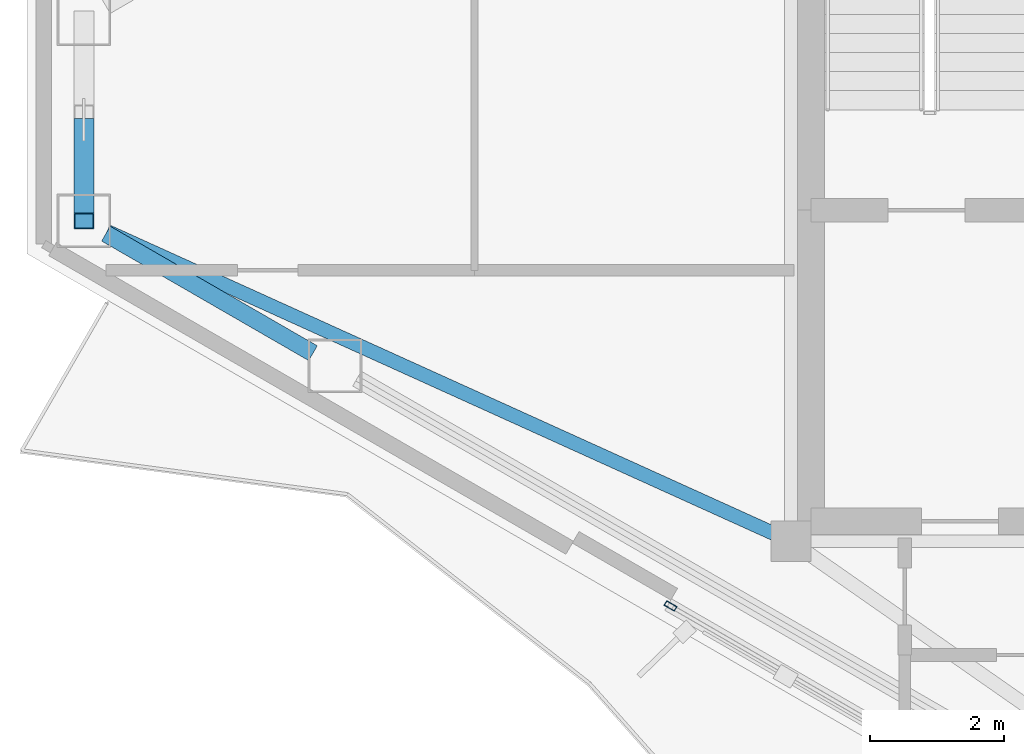
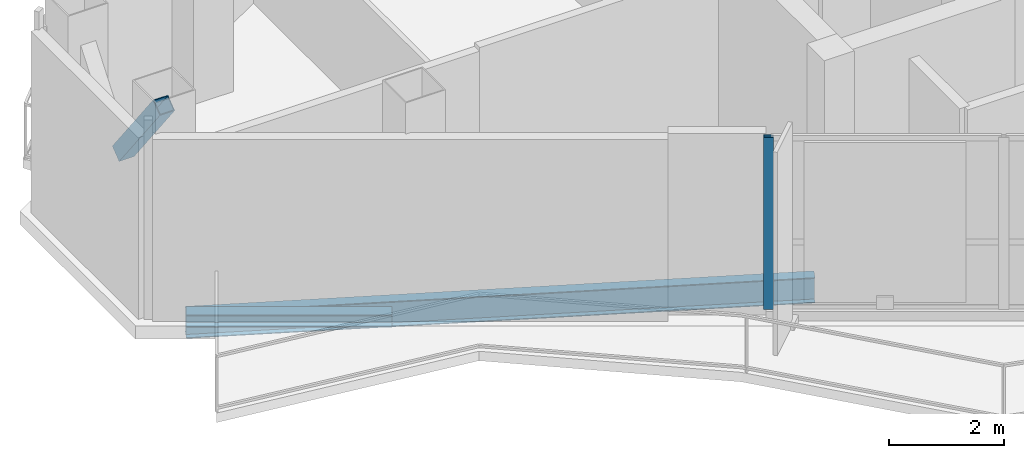
# One storey, part 3 of 14: 2 beams, 2 members, 1 element without a shape of its own.
"""IFC4 building model written with IfcOpenShell, lengths in metres."""

import ifcopenshell
import ifcopenshell.guid

model = None  # the IFC model being written
_history = None  # IfcOwnerHistory: only IFC2X3 demands one
_inside = {}  # id of a spatial element -> (the spatial element, [elements in it])
_under = {}  # id of a project, library or spatial element -> (it, [spatial elements below it])
_declared = {}  # id of a project -> (the project, [libraries it declares])
_typed = {}  # id of a type object -> (the type object, [elements of that type])
_made_of = {}  # id of a material, layer set ... -> (it, [elements and type objects made of it])


def new_model(schema):
    """Start an empty IFC model of exactly this schema.

    Asked for "IFC4X3", IfcOpenShell would pick the latest addendum, in which some entities
    have other attributes; the version numbers below select the first issue.
    IFC2X3 requires an IfcOwnerHistory on every rooted entity: one is made here for all.
    """
    global model, _history
    if schema == "IFC4X3":
        model = ifcopenshell.file(schema_version=(4, 3, 0, 0))
    else:
        model = ifcopenshell.file(schema=schema)
    _inside.clear()
    _under.clear()
    _declared.clear()
    _typed.clear()
    _made_of.clear()
    _history = None
    if model.schema == "IFC2X3":
        org = make("IfcOrganization", Name="unknown")
        user = make(
            "IfcPersonAndOrganization",
            ThePerson=make("IfcPerson", FamilyName="unknown"),
            TheOrganization=org,
        )
        app = make(
            "IfcApplication",
            ApplicationDeveloper=org,
            Version="unknown",
            ApplicationFullName="unknown",
            ApplicationIdentifier="unknown",
        )
        _history = make(
            "IfcOwnerHistory",
            OwningUser=user,
            OwningApplication=app,
            ChangeAction="ADDED",
            CreationDate=0,
        )
    return model


def make(cls, **values):
    """One entity of the class cls with the attributes given. An attribute that is None is left unset."""
    return model.create_entity(
        cls, **{name: value for name, value in values.items() if value is not None}
    )


def rooted(cls, **values):
    """An entity with a GlobalId (a new one), such as an element, a storey or a relation."""
    return make(cls, GlobalId=ifcopenshell.guid.new(), OwnerHistory=_history, **values)


def si_unit(unit_type, name, prefix=None):
    """IfcSIUnit, for example si_unit("LENGTHUNIT", "METRE", prefix="MILLI")."""
    return make("IfcSIUnit", UnitType=unit_type, Prefix=prefix, Name=name)


def assignment(units):
    """IfcUnitAssignment: the units of a project."""
    return None if units is None else make("IfcUnitAssignment", Units=units)


def point(xyz):
    """IfcCartesianPoint."""
    return None if xyz is None else make("IfcCartesianPoint", Coordinates=xyz)


def direction(xyz):
    """IfcDirection."""
    return None if xyz is None else make("IfcDirection", DirectionRatios=xyz)


def frame(location, z_axis=None, x_axis=None):
    """IfcAxis2Placement3D, a coordinate frame: its origin and axes. An axis left out is left unset."""
    return make(
        "IfcAxis2Placement3D",
        Location=point(location),
        Axis=direction(z_axis),
        RefDirection=direction(x_axis),
    )


def frame_2d(location, x_axis=None):
    """IfcAxis2Placement2D, a coordinate frame in the plane: its origin and x axis."""
    return make(
        "IfcAxis2Placement2D", Location=point(location), RefDirection=direction(x_axis)
    )


def origin():
    """The frame at (0, 0, 0) with its axes left unset."""
    return frame((0.0, 0.0, 0.0))


def origin_2d():
    """The frame at (0, 0) in the plane with its x axis left unset."""
    return frame_2d((0.0, 0.0))


def place(relative_to, where):
    """IfcLocalPlacement: puts the frame where relative to a parent placement (None: the world)."""
    return make(
        "IfcLocalPlacement", PlacementRelTo=relative_to, RelativePlacement=where
    )


def context(
    kind, dimensions, precision=None, world=None, true_north=None, identifier=None
):
    """IfcGeometricRepresentationContext, for example the 3D "Model" context."""
    return make(
        "IfcGeometricRepresentationContext",
        ContextIdentifier=identifier,
        ContextType=kind,
        CoordinateSpaceDimension=dimensions,
        Precision=precision,
        WorldCoordinateSystem=world,
        TrueNorth=true_north,
    )


def subcontext(parent, identifier, kind, view, scale=None):
    """IfcGeometricRepresentationSubContext, for example "Body" below "Model"."""
    return make(
        "IfcGeometricRepresentationSubContext",
        ContextIdentifier=identifier,
        ContextType=kind,
        ParentContext=parent,
        TargetScale=scale,
        TargetView=view,
    )


def project(units=None, contexts=None):
    """IfcProject with its units and contexts."""
    return rooted(
        "IfcProject",
        Name="project",
        RepresentationContexts=contexts,
        UnitsInContext=assignment(units),
    )


def spatial(cls, under=None, at=None, **own):
    """A site, building, storey or space (cls), placed at a placement, below another one or the project."""
    s = rooted(cls, ObjectPlacement=at, **own)
    if under is not None:
        _under.setdefault(under.id(), (under, []))[1].append(s)
    return s


def profile(cls, at=None, kind="AREA", **sizes):
    """A parametric profile (cls). Its sizes go by their IFC names, for example OverallWidth=200.0."""
    return make(cls, ProfileType=kind, Position=at, **sizes)


def hollow_rectangle(**sizes):
    """IfcRectangleHollowProfileDef."""
    return profile("IfcRectangleHollowProfileDef", **sizes)


def i_section(**sizes):
    """IfcIShapeProfileDef."""
    return profile("IfcIShapeProfileDef", **sizes)


def extrude(swept, where, along, depth):
    """IfcExtrudedAreaSolid: the profile swept, set in the frame where, extruded along a direction by depth."""
    return make(
        "IfcExtrudedAreaSolid",
        SweptArea=swept,
        Position=where,
        ExtrudedDirection=direction(along),
        Depth=depth,
    )


def shape(context_of_items, identifier, shape_type, items):
    """IfcShapeRepresentation: the items that make up one representation, for example the "Body"."""
    return make(
        "IfcShapeRepresentation",
        ContextOfItems=context_of_items,
        RepresentationIdentifier=identifier,
        RepresentationType=shape_type,
        Items=items,
    )


def material(Name=None, Category=None):
    """IfcMaterial."""
    return make("IfcMaterial", Name=Name, Category=Category)


def layer(
    of_material, thickness, ventilated=None, Name=None, Category=None, Priority=None
):
    """IfcMaterialLayer: one layer of a wall or slab, of a material (None: an air gap)."""
    return make(
        "IfcMaterialLayer",
        Material=of_material,
        LayerThickness=thickness,
        IsVentilated=ventilated,
        Name=Name,
        Category=Category,
        Priority=Priority,
    )


def layer_set(layers, Name=None):
    """IfcMaterialLayerSet."""
    return make("IfcMaterialLayerSet", MaterialLayers=layers, LayerSetName=Name)


def material_profile(
    of_material, cross_section, Name=None, Category=None, Priority=None
):
    """IfcMaterialProfile: a cross section and its material."""
    return make(
        "IfcMaterialProfile",
        Name=Name,
        Material=of_material,
        Profile=cross_section,
        Priority=Priority,
        Category=Category,
    )


def profile_set(profiles, Name=None, composite=None):
    """IfcMaterialProfileSet."""
    return make(
        "IfcMaterialProfileSet",
        Name=Name,
        MaterialProfiles=profiles,
        CompositeProfile=composite,
    )


def made_of(thing, what):
    """Note that an element or type object is made of a material, layer set ...; save() writes the relation."""
    if what is not None:
        _made_of.setdefault(what.id(), (what, []))[1].append(thing)
    return thing


def type_object(cls, material=None, **own):
    """A type object (cls), such as IfcWallType, which elements share."""
    return made_of(rooted(cls, **own), material)


def element(
    cls,
    number,
    at=None,
    inside=None,
    cuts=None,
    type_object=None,
    material=None,
    context=None,
    identifier="Body",
    shape_type=None,
    held_by="IfcProductDefinitionShape",
    body=None,
    shapes=None,
    **own,
):
    """One element of the class cls, such as IfcWall. Its Tag is "e" and its number.

    at: its placement. inside: the storey or other place that contains it. cuts: it is an
    opening in that element (IfcRelVoidsElement). A single representation is given by context,
    identifier, shape_type and body (its items); several are given by shapes. held_by: the class
    of the entity that holds the representations. save() writes the other relations.
    """
    e = rooted(cls, Tag="e%d" % number, ObjectPlacement=at, **own)
    if body is not None:
        shapes = [shape(context, identifier, shape_type, body)]
    if shapes is not None:
        e.Representation = make(held_by, Representations=shapes)
    if inside is not None:
        _inside.setdefault(inside.id(), (inside, []))[1].append(e)
    if cuts is not None:
        rooted(
            "IfcRelVoidsElement", RelatingBuildingElement=cuts, RelatedOpeningElement=e
        )
    if type_object is not None:
        _typed.setdefault(type_object.id(), (type_object, []))[1].append(e)
    return made_of(e, material)


def aggregate(whole, parts):
    """IfcRelAggregates: a whole, such as a stair, and the parts it consists of."""
    return rooted("IfcRelAggregates", RelatingObject=whole, RelatedObjects=parts)


def save(model, path):
    """Write the relations noted so far, then the file.

    IfcRelAggregates (storeys below a building ...), IfcRelContainedInSpatialStructure (elements
    in a storey), IfcRelDefinesByType, IfcRelAssociatesMaterial and IfcRelDeclares: one each for
    every whole, place, type object, material and project.
    """
    for whole, parts in _under.values():
        aggregate(whole, parts)
    for where, things in _inside.values():
        rooted(
            "IfcRelContainedInSpatialStructure",
            RelatedElements=things,
            RelatingStructure=where,
        )
    for kind, things in _typed.values():
        rooted("IfcRelDefinesByType", RelatedObjects=things, RelatingType=kind)
    for what, things in _made_of.values():
        rooted("IfcRelAssociatesMaterial", RelatedObjects=things, RelatingMaterial=what)
    for by, libraries in _declared.values():
        rooted("IfcRelDeclares", RelatingContext=by, RelatedDefinitions=libraries)
    model.write(path)


model = new_model("IFC4")

# Units and contexts
model_context = context("Model", 3, precision=1e-05, world=origin(), true_north=direction((0.0, 1.0)))
body_context = subcontext(model_context, "Body", "Model", "MODEL_VIEW")
ifc_project = project(units=[si_unit("LENGTHUNIT", "METRE"), si_unit("AREAUNIT", "SQUARE_METRE"), si_unit("VOLUMEUNIT", "CUBIC_METRE"), si_unit("PLANEANGLEUNIT", "RADIAN"), si_unit("MASSUNIT", "GRAM", prefix="KILO")], contexts=[model_context])

# Site, building, storey
site_placement = place(None, origin())
site = spatial("IfcSite", under=ifc_project, at=site_placement, CompositionType="ELEMENT")
building_placement = place(site_placement, origin())
building = spatial("IfcBuilding", under=site, at=building_placement, Name="Mersakhor Tower and Convention Hall", CompositionType="ELEMENT")
storey_placement = place(building_placement, frame((0.0, 0.0, 249.60009765625)))
storey = spatial("IfcBuildingStorey", under=building, at=storey_placement, Name="L70", CompositionType="ELEMENT", Elevation=249.60009765625)

# Beams
ifc_material_1 = material(Name="Steel S355", Category="steel")
ifc_material_profile_1 = material_profile(ifc_material_1, i_section(OverallWidth=0.2099609375, OverallDepth=0.53662109375, WebThickness=0.0107421875, FlangeThickness=0.017333984375, at=origin_2d()), Name="UB 533x210x101")
ifc_profile_set_1 = profile_set([ifc_material_profile_1], Name="Steel S355")
beam_type_1 = type_object("IfcBeamType", Name="BM-FB-533", PredefinedType="BEAM", material=ifc_profile_set_1)
beam_1_placement = place(storey_placement, frame((21.64501953125, 20.565673828125, -0.548583984375), z_axis=(-0.910860191929, 0.412715047895, 0.0), x_axis=(-0.412715047895, -0.910860191929, 0.0)))
element("IfcBeam", 1, at=beam_1_placement, inside=storey, type_object=beam_type_1, Name="L70 Primary Floor Girder FG-6", PredefinedType="BEAM", context=body_context, shape_type="SweptSolid", body=[
    extrude(i_section(OverallWidth=0.2099609375, OverallDepth=0.53662109375, WebThickness=0.0107421875, FlangeThickness=0.017333984375, at=origin_2d()), origin(), (0.0, 0.0, 1.0), 10.9423828125),
])
ifc_material_2 = material(Name="Steel S355", Category="steel")
ifc_material_profile_2 = material_profile(ifc_material_2, i_section(OverallWidth=0.25634765625, OverallDepth=0.26025390625, WebThickness=0.01025390625, FlangeThickness=0.017333984375, at=origin_2d()), Name="UC 254x254x89")
ifc_profile_set_2 = profile_set([ifc_material_profile_2], Name="Steel S355")
beam_type_2 = type_object("IfcBeamType", Name="BM-SPD-UC254", PredefinedType="SPANDREL", material=ifc_profile_set_2)
beam_2_placement = place(storey_placement, frame((14.756591796875, 23.261474609375, -0.41015625), z_axis=(-0.866032030752, 0.499988521579, 0.0), x_axis=(-0.499988521579, -0.866032030752, 0.0)))
element("IfcBeam", 2, at=beam_2_placement, inside=storey, type_object=beam_type_2, Name="L70 Perimeter Spandrel Beam SPB-11", PredefinedType="SPANDREL", context=body_context, shape_type="SweptSolid", body=[
    extrude(i_section(OverallWidth=0.25634765625, OverallDepth=0.26025390625, WebThickness=0.01025390625, FlangeThickness=0.017333984375, at=origin_2d()), origin(), (0.0, 0.0, 1.0), 3.57421875),
])

# Curtain wall, member
ifc_material_3 = material(Name="Dark solar low-E aluminium curtain wall", Category="aluminium")
ifc_layer = layer(ifc_material_3, 0.2099609375)
ifc_layer_set = layer_set([ifc_layer], Name="Dark solar low-E aluminium curtain wall")
curtain_wall_type = type_object("IfcCurtainWallType", Name="CW-SYS-06", PredefinedType="USERDEFINED", material=ifc_layer_set)
curtain_wall_placement = place(storey_placement, origin())
curtain_wall = element("IfcCurtainWall", 3, at=curtain_wall_placement, inside=storey, type_object=curtain_wall_type, Name="L70 Dark-Glass Curtain Wall F3-B2", ObjectType="CURTAIN WALL", PredefinedType="USERDEFINED")
ifc_material_4 = material(Name="Anodised aluminium EN AW-6063 T6", Category="aluminium")
ifc_material_profile_3 = material_profile(ifc_material_4, hollow_rectangle(XDim=0.080078125, YDim=0.179931640625, WallThickness=0.008056640625, at=origin_2d()), Name="RHS 180x80x8")
ifc_profile_set_3 = profile_set([ifc_material_profile_3], Name="Anodised aluminium EN AW-6063 T6")
member_type_1 = type_object("IfcMemberType", Name="CWM-180x80", PredefinedType="MULLION", material=ifc_profile_set_3)
member_1_placement = place(storey_placement, frame((20.1005859375, 19.4833984375, 0.199951171875), z_axis=(0.0, 0.0, 1.0), x_axis=(-0.500004411169, -0.86602285698, 0.0)))
member_1 = element("IfcMember", 4, at=member_1_placement, type_object=member_type_1, Name="CW-06 mullion 3", PredefinedType="MULLION", context=body_context, shape_type="SweptSolid", body=[
    extrude(hollow_rectangle(XDim=0.080078125, YDim=0.179931640625, WallThickness=0.008056640625, at=origin_2d()), origin(), (0.0, 0.0, 1.0), 3.639892578125),
])
aggregate(curtain_wall, [member_1])

# Member
ifc_material_5 = material(Name="Steel S355", Category="steel")
ifc_material_profile_4 = material_profile(ifc_material_5, hollow_rectangle(XDim=0.300048828125, YDim=0.300048828125, WallThickness=0.01611328125, at=origin_2d()), Name="SHS 300x300x16")
ifc_profile_set_4 = profile_set([ifc_material_profile_4], Name="Steel S355")
member_type_2 = type_object("IfcMemberType", Name="MB-BRC-SHS300", PredefinedType="BRACE", material=ifc_profile_set_4)
member_2_placement = place(storey_placement, frame((11.33203125, 26.650390625, 2.239013671875), z_axis=(0.0, -0.610608601444, 0.791932532381), x_axis=(1.0, 0.0, 0.0)))
element("IfcMember", 5, at=member_2_placement, inside=storey, type_object=member_type_2, Name="L70 Chamfer Braced Frame Diagonal CB-3B Upper Half", PredefinedType="BRACE", context=body_context, shape_type="SweptSolid", body=[
    extrude(hollow_rectangle(XDim=0.300048828125, YDim=0.300048828125, WallThickness=0.01611328125, at=origin_2d()), origin(), (0.0, 0.0, 1.0), 2.311767578125),
])

save(model, "model.ifc")
